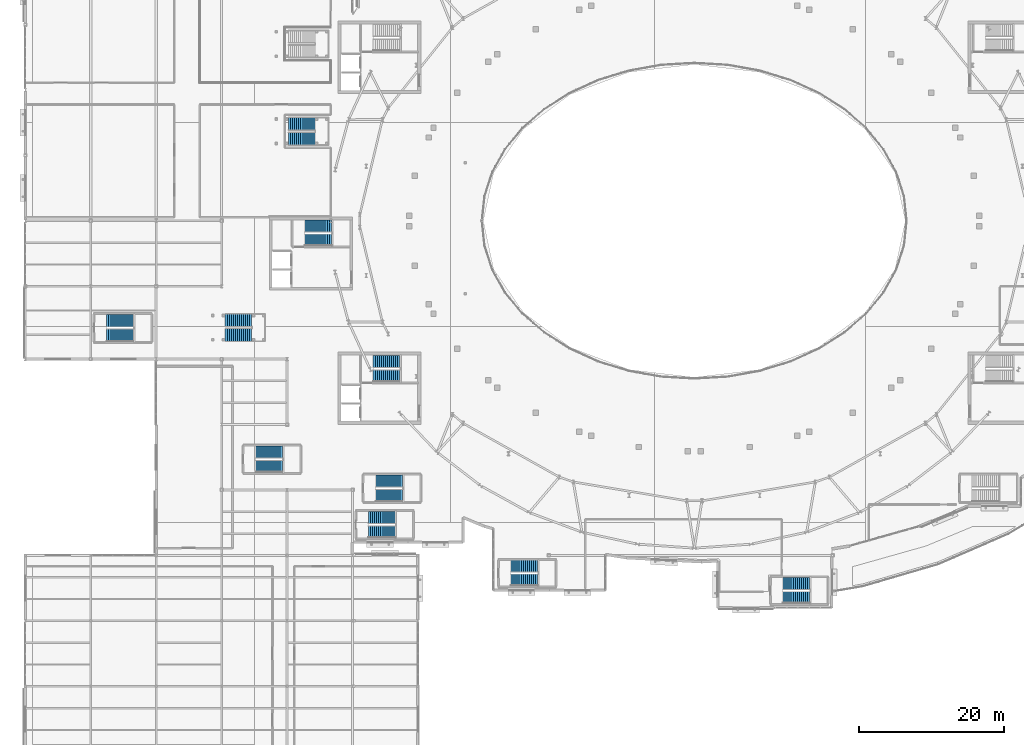
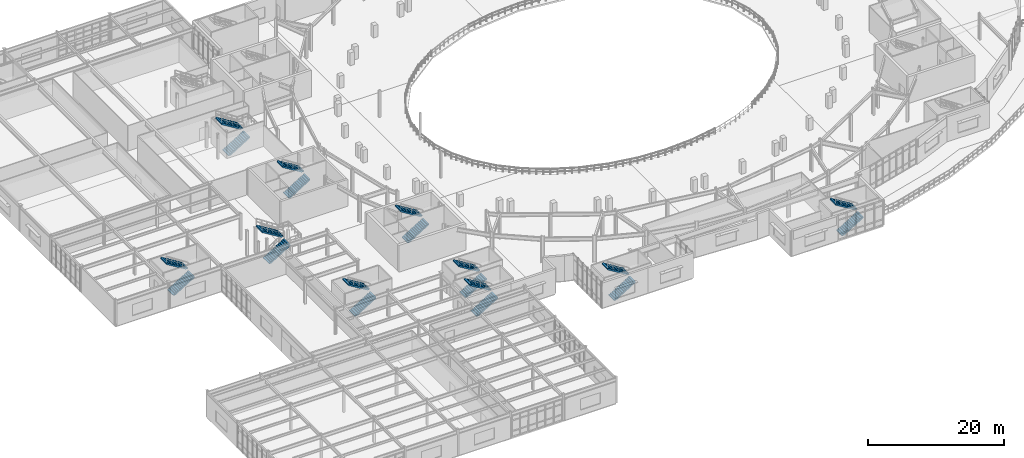
# One storey, part 65 of 84: 20 stair flights, 10 elements without a shape of their own.
"""IFC4 building model written with IfcOpenShell, lengths in metres."""

import ifcopenshell
import ifcopenshell.guid

model = None  # the IFC model being written
_history = None  # IfcOwnerHistory: only IFC2X3 demands one
_inside = {}  # id of a spatial element -> (the spatial element, [elements in it])
_under = {}  # id of a project, library or spatial element -> (it, [spatial elements below it])
_declared = {}  # id of a project -> (the project, [libraries it declares])
_typed = {}  # id of a type object -> (the type object, [elements of that type])
_made_of = {}  # id of a material, layer set ... -> (it, [elements and type objects made of it])


def new_model(schema):
    """Start an empty IFC model of exactly this schema.

    Asked for "IFC4X3", IfcOpenShell would pick the latest addendum, in which some entities
    have other attributes; the version numbers below select the first issue.
    IFC2X3 requires an IfcOwnerHistory on every rooted entity: one is made here for all.
    """
    global model, _history
    if schema == "IFC4X3":
        model = ifcopenshell.file(schema_version=(4, 3, 0, 0))
    else:
        model = ifcopenshell.file(schema=schema)
    _inside.clear()
    _under.clear()
    _declared.clear()
    _typed.clear()
    _made_of.clear()
    _history = None
    if model.schema == "IFC2X3":
        org = make("IfcOrganization", Name="unknown")
        user = make(
            "IfcPersonAndOrganization",
            ThePerson=make("IfcPerson", FamilyName="unknown"),
            TheOrganization=org,
        )
        app = make(
            "IfcApplication",
            ApplicationDeveloper=org,
            Version="unknown",
            ApplicationFullName="unknown",
            ApplicationIdentifier="unknown",
        )
        _history = make(
            "IfcOwnerHistory",
            OwningUser=user,
            OwningApplication=app,
            ChangeAction="ADDED",
            CreationDate=0,
        )
    return model


def make(cls, **values):
    """One entity of the class cls with the attributes given. An attribute that is None is left unset."""
    return model.create_entity(
        cls, **{name: value for name, value in values.items() if value is not None}
    )


def rooted(cls, **values):
    """An entity with a GlobalId (a new one), such as an element, a storey or a relation."""
    return make(cls, GlobalId=ifcopenshell.guid.new(), OwnerHistory=_history, **values)


def si_unit(unit_type, name, prefix=None):
    """IfcSIUnit, for example si_unit("LENGTHUNIT", "METRE", prefix="MILLI")."""
    return make("IfcSIUnit", UnitType=unit_type, Prefix=prefix, Name=name)


def assignment(units):
    """IfcUnitAssignment: the units of a project."""
    return None if units is None else make("IfcUnitAssignment", Units=units)


def point(xyz):
    """IfcCartesianPoint."""
    return None if xyz is None else make("IfcCartesianPoint", Coordinates=xyz)


def direction(xyz):
    """IfcDirection."""
    return None if xyz is None else make("IfcDirection", DirectionRatios=xyz)


def frame(location, z_axis=None, x_axis=None):
    """IfcAxis2Placement3D, a coordinate frame: its origin and axes. An axis left out is left unset."""
    return make(
        "IfcAxis2Placement3D",
        Location=point(location),
        Axis=direction(z_axis),
        RefDirection=direction(x_axis),
    )


def origin():
    """The frame at (0, 0, 0) with its axes left unset."""
    return frame((0.0, 0.0, 0.0))


def place(relative_to, where):
    """IfcLocalPlacement: puts the frame where relative to a parent placement (None: the world)."""
    return make(
        "IfcLocalPlacement", PlacementRelTo=relative_to, RelativePlacement=where
    )


def context(
    kind, dimensions, precision=None, world=None, true_north=None, identifier=None
):
    """IfcGeometricRepresentationContext, for example the 3D "Model" context."""
    return make(
        "IfcGeometricRepresentationContext",
        ContextIdentifier=identifier,
        ContextType=kind,
        CoordinateSpaceDimension=dimensions,
        Precision=precision,
        WorldCoordinateSystem=world,
        TrueNorth=true_north,
    )


def subcontext(parent, identifier, kind, view, scale=None):
    """IfcGeometricRepresentationSubContext, for example "Body" below "Model"."""
    return make(
        "IfcGeometricRepresentationSubContext",
        ContextIdentifier=identifier,
        ContextType=kind,
        ParentContext=parent,
        TargetScale=scale,
        TargetView=view,
    )


def project(units=None, contexts=None):
    """IfcProject with its units and contexts."""
    return rooted(
        "IfcProject",
        Name="project",
        RepresentationContexts=contexts,
        UnitsInContext=assignment(units),
    )


def spatial(cls, under=None, at=None, **own):
    """A site, building, storey or space (cls), placed at a placement, below another one or the project."""
    s = rooted(cls, ObjectPlacement=at, **own)
    if under is not None:
        _under.setdefault(under.id(), (under, []))[1].append(s)
    return s


def polyline(points):
    """IfcPolyline through the points."""
    return make("IfcPolyline", Points=[point(p) for p in points])


def outline(outer, holes=None, kind="AREA"):
    """IfcArbitraryClosedProfileDef: a profile drawn as a closed curve; with holes, ...WithVoids."""
    if holes is None:
        return make("IfcArbitraryClosedProfileDef", ProfileType=kind, OuterCurve=outer)
    return make(
        "IfcArbitraryProfileDefWithVoids",
        ProfileType=kind,
        OuterCurve=outer,
        InnerCurves=holes,
    )


def extrude(swept, where, along, depth):
    """IfcExtrudedAreaSolid: the profile swept, set in the frame where, extruded along a direction by depth."""
    return make(
        "IfcExtrudedAreaSolid",
        SweptArea=swept,
        Position=where,
        ExtrudedDirection=direction(along),
        Depth=depth,
    )


def shape(context_of_items, identifier, shape_type, items):
    """IfcShapeRepresentation: the items that make up one representation, for example the "Body"."""
    return make(
        "IfcShapeRepresentation",
        ContextOfItems=context_of_items,
        RepresentationIdentifier=identifier,
        RepresentationType=shape_type,
        Items=items,
    )


def material(Name=None, Category=None):
    """IfcMaterial."""
    return make("IfcMaterial", Name=Name, Category=Category)


def made_of(thing, what):
    """Note that an element or type object is made of a material, layer set ...; save() writes the relation."""
    if what is not None:
        _made_of.setdefault(what.id(), (what, []))[1].append(thing)
    return thing


def type_object(cls, material=None, **own):
    """A type object (cls), such as IfcWallType, which elements share."""
    return made_of(rooted(cls, **own), material)


def element(
    cls,
    number,
    at=None,
    inside=None,
    cuts=None,
    type_object=None,
    material=None,
    context=None,
    identifier="Body",
    shape_type=None,
    held_by="IfcProductDefinitionShape",
    body=None,
    shapes=None,
    **own,
):
    """One element of the class cls, such as IfcWall. Its Tag is "e" and its number.

    at: its placement. inside: the storey or other place that contains it. cuts: it is an
    opening in that element (IfcRelVoidsElement). A single representation is given by context,
    identifier, shape_type and body (its items); several are given by shapes. held_by: the class
    of the entity that holds the representations. save() writes the other relations.
    """
    e = rooted(cls, Tag="e%d" % number, ObjectPlacement=at, **own)
    if body is not None:
        shapes = [shape(context, identifier, shape_type, body)]
    if shapes is not None:
        e.Representation = make(held_by, Representations=shapes)
    if inside is not None:
        _inside.setdefault(inside.id(), (inside, []))[1].append(e)
    if cuts is not None:
        rooted(
            "IfcRelVoidsElement", RelatingBuildingElement=cuts, RelatedOpeningElement=e
        )
    if type_object is not None:
        _typed.setdefault(type_object.id(), (type_object, []))[1].append(e)
    return made_of(e, material)


def aggregate(whole, parts):
    """IfcRelAggregates: a whole, such as a stair, and the parts it consists of."""
    return rooted("IfcRelAggregates", RelatingObject=whole, RelatedObjects=parts)


def save(model, path):
    """Write the relations noted so far, then the file.

    IfcRelAggregates (storeys below a building ...), IfcRelContainedInSpatialStructure (elements
    in a storey), IfcRelDefinesByType, IfcRelAssociatesMaterial and IfcRelDeclares: one each for
    every whole, place, type object, material and project.
    """
    for whole, parts in _under.values():
        aggregate(whole, parts)
    for where, things in _inside.values():
        rooted(
            "IfcRelContainedInSpatialStructure",
            RelatedElements=things,
            RelatingStructure=where,
        )
    for kind, things in _typed.values():
        rooted("IfcRelDefinesByType", RelatedObjects=things, RelatingType=kind)
    for what, things in _made_of.values():
        rooted("IfcRelAssociatesMaterial", RelatedObjects=things, RelatingMaterial=what)
    for by, libraries in _declared.values():
        rooted("IfcRelDeclares", RelatingContext=by, RelatedDefinitions=libraries)
    model.write(path)


model = new_model("IFC4")

# Units and contexts
model_context = context("Model", 3, precision=1e-05, world=origin(), true_north=direction((0.0, 1.0)))
body_context = subcontext(model_context, "Body", "Model", "MODEL_VIEW")
ifc_project = project(units=[si_unit("LENGTHUNIT", "METRE"), si_unit("AREAUNIT", "SQUARE_METRE"), si_unit("VOLUMEUNIT", "CUBIC_METRE"), si_unit("PLANEANGLEUNIT", "RADIAN"), si_unit("MASSUNIT", "GRAM", prefix="KILO")], contexts=[model_context])

# Site, building, storey
site_placement = place(None, origin())
site = spatial("IfcSite", under=ifc_project, at=site_placement, CompositionType="ELEMENT")
building_placement = place(site_placement, origin())
building = spatial("IfcBuilding", under=site, at=building_placement, Name="Glasvene Arena", CompositionType="ELEMENT")
storey_placement = place(building_placement, frame((0.0, 0.0, 10.199951171875)))
storey = spatial("IfcBuildingStorey", under=building, at=storey_placement, Name="L02", CompositionType="ELEMENT", Elevation=10.199951171875)

# Stair, stair flights
ifc_material = material(Name="Concrete C40/50", Category="concrete")
stair_type_1 = type_object("IfcStairType", Name="ST-HT-480-165", PredefinedType="HALF_TURN_STAIR", material=ifc_material)
stair_1_placement = place(storey_placement, origin())
stair_1 = element("IfcStair", 1, at=stair_1_placement, inside=storey, type_object=stair_type_1, Name="Protected escape stair ST-07 (L02 to L03)", PredefinedType="HALF_TURN_STAIR")
stair_flight_type_1 = type_object("IfcStairFlightType", Name="SF-HT-480-165", PredefinedType="STRAIGHT", material=ifc_material)
stair_flight_1_placement = place(storey_placement, frame((38.449951171875, 70.375, 0.0), z_axis=(0.0, 0.0, 1.0), x_axis=(1.0, 0.0, 0.0)))
stair_flight_1 = element("IfcStairFlight", 2, at=stair_flight_1_placement, type_object=stair_flight_type_1, Name="Protected escape stair ST-07 (L02 to L03) flight 1", NumberOfRisers=14, NumberOfTreads=13, PredefinedType="STRAIGHT", RiserHeight=0.171429, TreadLength=0.28, context=body_context, shape_type="SweptSolid", body=[
    extrude(outline(polyline([(0.0, 0.0), (0.0, 0.17138671875), (0.280029296875, 0.17138671875), (0.280029296875, 0.3427734375), (0.56005859375, 0.3427734375), (0.56005859375, 0.514404296875), (0.840087890625, 0.514404296875), (0.840087890625, 0.685791015625), (1.1201171875, 0.685791015625), (1.1201171875, 0.857177734375), (1.39990234375, 0.857177734375), (1.39990234375, 1.028564453125), (1.679931640625, 1.028564453125), (1.679931640625, 1.199951171875), (1.9599609375, 1.199951171875), (1.9599609375, 1.371337890625), (2.239990234375, 1.371337890625), (2.239990234375, 1.54296875), (2.52001953125, 1.54296875), (2.52001953125, 1.71435546875), (2.800048828125, 1.71435546875), (2.800048828125, 1.8857421875), (3.080078125, 1.8857421875), (3.080078125, 2.05712890625), (3.360107421875, 2.05712890625), (3.360107421875, 2.228515625), (3.639892578125, 2.228515625), (3.639892578125, 2.39990234375), (3.639892578125, 1.994140625), (0.383056640625, 0.0), (0.0, 0.0)])), frame((0.0, 0.824951171875, 0.0), z_axis=(0.0, -1.0, 0.0), x_axis=(1.0, 0.0, 0.0)), (0.0, 0.0, 1.0), 1.64990234375),
])
stair_flight_2_placement = place(storey_placement, frame((42.090087890625, 72.27490234375, 2.400146484375), z_axis=(0.0, 0.0, 1.0), x_axis=(-1.0, 0.0, 0.0)))
stair_flight_2 = element("IfcStairFlight", 3, at=stair_flight_2_placement, type_object=stair_flight_type_1, Name="Protected escape stair ST-07 (L02 to L03) flight 2", NumberOfRisers=14, NumberOfTreads=13, PredefinedType="STRAIGHT", RiserHeight=0.171429, TreadLength=0.28, context=body_context, shape_type="SweptSolid", body=[
    extrude(outline(polyline([(0.0, 0.0), (0.0, 0.17138671875), (0.280029296875, 0.17138671875), (0.280029296875, 0.3427734375), (0.56005859375, 0.3427734375), (0.56005859375, 0.514404296875), (0.840087890625, 0.514404296875), (0.840087890625, 0.685791015625), (1.1201171875, 0.685791015625), (1.1201171875, 0.857177734375), (1.39990234375, 0.857177734375), (1.39990234375, 1.028564453125), (1.679931640625, 1.028564453125), (1.679931640625, 1.199951171875), (1.9599609375, 1.199951171875), (1.9599609375, 1.371337890625), (2.239990234375, 1.371337890625), (2.239990234375, 1.54296875), (2.52001953125, 1.54296875), (2.52001953125, 1.71435546875), (2.800048828125, 1.71435546875), (2.800048828125, 1.8857421875), (3.080078125, 1.8857421875), (3.080078125, 2.05712890625), (3.360107421875, 2.05712890625), (3.360107421875, 2.228515625), (3.639892578125, 2.228515625), (3.639892578125, 2.39990234375), (3.639892578125, 1.994140625), (0.383056640625, 0.0), (0.0, 0.0)])), frame((0.0, 0.824951171875, 0.0), z_axis=(0.0, -1.0, 0.0), x_axis=(1.0, 0.0, 0.0)), (0.0, 0.0, 1.0), 1.64990234375),
])
aggregate(stair_1, [stair_flight_1, stair_flight_2])

stair_2_placement = place(storey_placement, origin())
stair_2 = element("IfcStair", 4, at=stair_2_placement, inside=storey, type_object=stair_type_1, Name="Protected escape stair ST-08 (L02 to L03)", PredefinedType="HALF_TURN_STAIR")
stair_flight_3_placement = place(storey_placement, frame((66.800048828125, 23.625, 0.0), z_axis=(0.0, 0.0, 1.0), x_axis=(1.0, 0.0, 0.0)))
stair_flight_3 = element("IfcStairFlight", 5, at=stair_flight_3_placement, type_object=stair_flight_type_1, Name="Protected escape stair ST-08 (L02 to L03) flight 1", NumberOfRisers=14, NumberOfTreads=13, PredefinedType="STRAIGHT", RiserHeight=0.171429, TreadLength=0.28, context=body_context, shape_type="SweptSolid", body=[
    extrude(outline(polyline([(0.0, 0.0), (0.0, 0.17138671875), (0.280029296875, 0.17138671875), (0.280029296875, 0.3427734375), (0.56005859375, 0.3427734375), (0.56005859375, 0.514404296875), (0.840087890625, 0.514404296875), (0.840087890625, 0.685791015625), (1.1201171875, 0.685791015625), (1.1201171875, 0.857177734375), (1.39990234375, 0.857177734375), (1.39990234375, 1.028564453125), (1.679931640625, 1.028564453125), (1.679931640625, 1.199951171875), (1.9599609375, 1.199951171875), (1.9599609375, 1.371337890625), (2.239990234375, 1.371337890625), (2.239990234375, 1.54296875), (2.52001953125, 1.54296875), (2.52001953125, 1.71435546875), (2.800048828125, 1.71435546875), (2.800048828125, 1.8857421875), (3.080078125, 1.8857421875), (3.080078125, 2.05712890625), (3.360107421875, 2.05712890625), (3.360107421875, 2.228515625), (3.639892578125, 2.228515625), (3.639892578125, 2.39990234375), (3.639892578125, 1.994140625), (0.383056640625, 0.0), (0.0, 0.0)])), frame((0.0, 0.824951171875, 0.0), z_axis=(0.0, -1.0, 0.0), x_axis=(1.0, 0.0, 0.0)), (0.0, 0.0, 1.0), 1.64990234375),
])
stair_flight_4_placement = place(storey_placement, frame((70.43994140625, 25.52490234375, 2.400146484375), z_axis=(0.0, 0.0, 1.0), x_axis=(-1.0, 0.0, 0.0)))
stair_flight_4 = element("IfcStairFlight", 6, at=stair_flight_4_placement, type_object=stair_flight_type_1, Name="Protected escape stair ST-08 (L02 to L03) flight 2", NumberOfRisers=14, NumberOfTreads=13, PredefinedType="STRAIGHT", RiserHeight=0.171429, TreadLength=0.28, context=body_context, shape_type="SweptSolid", body=[
    extrude(outline(polyline([(0.0, 0.0), (0.0, 0.17138671875), (0.280029296875, 0.17138671875), (0.280029296875, 0.3427734375), (0.56005859375, 0.3427734375), (0.56005859375, 0.514404296875), (0.840087890625, 0.514404296875), (0.840087890625, 0.685791015625), (1.1201171875, 0.685791015625), (1.1201171875, 0.857177734375), (1.39990234375, 0.857177734375), (1.39990234375, 1.028564453125), (1.679931640625, 1.028564453125), (1.679931640625, 1.199951171875), (1.9599609375, 1.199951171875), (1.9599609375, 1.371337890625), (2.239990234375, 1.371337890625), (2.239990234375, 1.54296875), (2.52001953125, 1.54296875), (2.52001953125, 1.71435546875), (2.800048828125, 1.71435546875), (2.800048828125, 1.8857421875), (3.080078125, 1.8857421875), (3.080078125, 2.05712890625), (3.360107421875, 2.05712890625), (3.360107421875, 2.228515625), (3.639892578125, 2.228515625), (3.639892578125, 2.39990234375), (3.639892578125, 1.994140625), (0.383056640625, 0.0), (0.0, 0.0)])), frame((0.0, 0.824951171875, 0.0), z_axis=(0.0, -1.0, 0.0), x_axis=(1.0, 0.0, 0.0)), (0.0, 0.0, 1.0), 1.64990234375),
])
aggregate(stair_2, [stair_flight_3, stair_flight_4])

stair_3_placement = place(storey_placement, origin())
stair_3 = element("IfcStair", 7, at=stair_3_placement, inside=storey, type_object=stair_type_1, Name="Protected escape stair ST-09 (L02 to L03)", PredefinedType="HALF_TURN_STAIR")
stair_flight_5_placement = place(storey_placement, frame((104.199951171875, 21.22509765625, 0.0), z_axis=(0.0, 0.0, 1.0), x_axis=(1.0, 0.0, 0.0)))
stair_flight_5 = element("IfcStairFlight", 8, at=stair_flight_5_placement, type_object=stair_flight_type_1, Name="Protected escape stair ST-09 (L02 to L03) flight 1", NumberOfRisers=14, NumberOfTreads=13, PredefinedType="STRAIGHT", RiserHeight=0.171429, TreadLength=0.28, context=body_context, shape_type="SweptSolid", body=[
    extrude(outline(polyline([(0.0, 0.0), (0.0, 0.17138671875), (0.280029296875, 0.17138671875), (0.280029296875, 0.3427734375), (0.56005859375, 0.3427734375), (0.56005859375, 0.514404296875), (0.840087890625, 0.514404296875), (0.840087890625, 0.685791015625), (1.1201171875, 0.685791015625), (1.1201171875, 0.857177734375), (1.39990234375, 0.857177734375), (1.39990234375, 1.028564453125), (1.679931640625, 1.028564453125), (1.679931640625, 1.199951171875), (1.9599609375, 1.199951171875), (1.9599609375, 1.371337890625), (2.239990234375, 1.371337890625), (2.239990234375, 1.54296875), (2.52001953125, 1.54296875), (2.52001953125, 1.71435546875), (2.800048828125, 1.71435546875), (2.800048828125, 1.8857421875), (3.080078125, 1.8857421875), (3.080078125, 2.05712890625), (3.360107421875, 2.05712890625), (3.360107421875, 2.228515625), (3.639892578125, 2.228515625), (3.639892578125, 2.39990234375), (3.639892578125, 1.994140625), (0.383056640625, 0.0), (0.0, 0.0)])), frame((0.0, 0.824951171875, 0.0), z_axis=(0.0, -1.0, 0.0), x_axis=(1.0, 0.0, 0.0)), (0.0, 0.0, 1.0), 1.64990234375),
])
stair_flight_6_placement = place(storey_placement, frame((107.840087890625, 23.125, 2.400146484375), z_axis=(0.0, 0.0, 1.0), x_axis=(-1.0, 0.0, 0.0)))
stair_flight_6 = element("IfcStairFlight", 9, at=stair_flight_6_placement, type_object=stair_flight_type_1, Name="Protected escape stair ST-09 (L02 to L03) flight 2", NumberOfRisers=14, NumberOfTreads=13, PredefinedType="STRAIGHT", RiserHeight=0.171429, TreadLength=0.28, context=body_context, shape_type="SweptSolid", body=[
    extrude(outline(polyline([(0.0, 0.0), (0.0, 0.17138671875), (0.280029296875, 0.17138671875), (0.280029296875, 0.3427734375), (0.56005859375, 0.3427734375), (0.56005859375, 0.514404296875), (0.840087890625, 0.514404296875), (0.840087890625, 0.685791015625), (1.1201171875, 0.685791015625), (1.1201171875, 0.857177734375), (1.39990234375, 0.857177734375), (1.39990234375, 1.028564453125), (1.679931640625, 1.028564453125), (1.679931640625, 1.199951171875), (1.9599609375, 1.199951171875), (1.9599609375, 1.371337890625), (2.239990234375, 1.371337890625), (2.239990234375, 1.54296875), (2.52001953125, 1.54296875), (2.52001953125, 1.71435546875), (2.800048828125, 1.71435546875), (2.800048828125, 1.8857421875), (3.080078125, 1.8857421875), (3.080078125, 2.05712890625), (3.360107421875, 2.05712890625), (3.360107421875, 2.228515625), (3.639892578125, 2.228515625), (3.639892578125, 2.39990234375), (3.639892578125, 1.994140625), (0.383056640625, 0.0), (0.0, 0.0)])), frame((0.0, 0.824951171875, 0.0), z_axis=(0.0, -1.0, 0.0), x_axis=(1.0, 0.0, 0.0)), (0.0, 0.0, 1.0), 1.64990234375),
])
aggregate(stair_3, [stair_flight_5, stair_flight_6])

stair_type_2 = type_object("IfcStairType", Name="ST-HT-480-170", PredefinedType="HALF_TURN_STAIR", material=ifc_material)
stair_4_placement = place(storey_placement, origin())
stair_4 = element("IfcStair", 10, at=stair_4_placement, inside=storey, type_object=stair_type_2, Name="Protected escape stair ST-03 (L02 to L03)", PredefinedType="HALF_TURN_STAIR")
stair_flight_type_2 = type_object("IfcStairFlightType", Name="SF-HT-480-170", PredefinedType="STRAIGHT", material=ifc_material)
stair_flight_7_placement = place(storey_placement, frame((47.85009765625, 51.699951171875, 0.0), z_axis=(0.0, 0.0, 1.0), x_axis=(1.0, 0.0, 0.0)))
stair_flight_7 = element("IfcStairFlight", 11, at=stair_flight_7_placement, type_object=stair_flight_type_2, Name="Protected escape stair ST-03 (L02 to L03) flight 1", NumberOfRisers=14, NumberOfTreads=13, PredefinedType="STRAIGHT", RiserHeight=0.171429, TreadLength=0.28, context=body_context, shape_type="SweptSolid", body=[
    extrude(outline(polyline([(0.0, 0.0), (0.0, 0.17138671875), (0.280029296875, 0.17138671875), (0.280029296875, 0.3427734375), (0.56005859375, 0.3427734375), (0.56005859375, 0.514404296875), (0.840087890625, 0.514404296875), (0.840087890625, 0.685791015625), (1.1201171875, 0.685791015625), (1.1201171875, 0.857177734375), (1.39990234375, 0.857177734375), (1.39990234375, 1.028564453125), (1.679931640625, 1.028564453125), (1.679931640625, 1.199951171875), (1.9599609375, 1.199951171875), (1.9599609375, 1.371337890625), (2.239990234375, 1.371337890625), (2.239990234375, 1.54296875), (2.52001953125, 1.54296875), (2.52001953125, 1.71435546875), (2.800048828125, 1.71435546875), (2.800048828125, 1.8857421875), (3.080078125, 1.8857421875), (3.080078125, 2.05712890625), (3.360107421875, 2.05712890625), (3.360107421875, 2.228515625), (3.639892578125, 2.228515625), (3.639892578125, 2.39990234375), (3.639892578125, 1.994140625), (0.383056640625, 0.0), (0.0, 0.0)])), frame((0.0, 0.85009765625, 0.0), z_axis=(0.0, -1.0, 0.0), x_axis=(1.0, 0.0, 0.0)), (0.0, 0.0, 1.0), 1.699951171875),
])
stair_flight_8_placement = place(storey_placement, frame((51.489990234375, 53.64990234375, 2.400146484375), z_axis=(0.0, 0.0, 1.0), x_axis=(-1.0, 0.0, 0.0)))
stair_flight_8 = element("IfcStairFlight", 12, at=stair_flight_8_placement, type_object=stair_flight_type_2, Name="Protected escape stair ST-03 (L02 to L03) flight 2", NumberOfRisers=14, NumberOfTreads=13, PredefinedType="STRAIGHT", RiserHeight=0.171429, TreadLength=0.28, context=body_context, shape_type="SweptSolid", body=[
    extrude(outline(polyline([(0.0, 0.0), (0.0, 0.17138671875), (0.280029296875, 0.17138671875), (0.280029296875, 0.3427734375), (0.56005859375, 0.3427734375), (0.56005859375, 0.514404296875), (0.840087890625, 0.514404296875), (0.840087890625, 0.685791015625), (1.1201171875, 0.685791015625), (1.1201171875, 0.857177734375), (1.39990234375, 0.857177734375), (1.39990234375, 1.028564453125), (1.679931640625, 1.028564453125), (1.679931640625, 1.199951171875), (1.9599609375, 1.199951171875), (1.9599609375, 1.371337890625), (2.239990234375, 1.371337890625), (2.239990234375, 1.54296875), (2.52001953125, 1.54296875), (2.52001953125, 1.71435546875), (2.800048828125, 1.71435546875), (2.800048828125, 1.8857421875), (3.080078125, 1.8857421875), (3.080078125, 2.05712890625), (3.360107421875, 2.05712890625), (3.360107421875, 2.228515625), (3.639892578125, 2.228515625), (3.639892578125, 2.39990234375), (3.639892578125, 1.994140625), (0.383056640625, 0.0), (0.0, 0.0)])), frame((0.0, 0.85009765625, 0.0), z_axis=(0.0, -1.0, 0.0), x_axis=(1.0, 0.0, 0.0)), (0.0, 0.0, 1.0), 1.699951171875),
])
aggregate(stair_4, [stair_flight_7, stair_flight_8])

stair_5_placement = place(storey_placement, origin())
stair_5 = element("IfcStair", 13, at=stair_5_placement, inside=storey, type_object=stair_type_2, Name="Protected escape stair ST-05 (L02 to L03)", PredefinedType="HALF_TURN_STAIR")
stair_flight_9_placement = place(storey_placement, frame((48.199951171875, 35.25, 0.0), z_axis=(0.0, 0.0, 1.0), x_axis=(1.0, 0.0, 0.0)))
stair_flight_9 = element("IfcStairFlight", 14, at=stair_flight_9_placement, type_object=stair_flight_type_2, Name="Protected escape stair ST-05 (L02 to L03) flight 1", NumberOfRisers=14, NumberOfTreads=13, PredefinedType="STRAIGHT", RiserHeight=0.171429, TreadLength=0.28, context=body_context, shape_type="SweptSolid", body=[
    extrude(outline(polyline([(0.0, 0.0), (0.0, 0.17138671875), (0.280029296875, 0.17138671875), (0.280029296875, 0.3427734375), (0.56005859375, 0.3427734375), (0.56005859375, 0.514404296875), (0.840087890625, 0.514404296875), (0.840087890625, 0.685791015625), (1.1201171875, 0.685791015625), (1.1201171875, 0.857177734375), (1.39990234375, 0.857177734375), (1.39990234375, 1.028564453125), (1.679931640625, 1.028564453125), (1.679931640625, 1.199951171875), (1.9599609375, 1.199951171875), (1.9599609375, 1.371337890625), (2.239990234375, 1.371337890625), (2.239990234375, 1.54296875), (2.52001953125, 1.54296875), (2.52001953125, 1.71435546875), (2.800048828125, 1.71435546875), (2.800048828125, 1.8857421875), (3.080078125, 1.8857421875), (3.080078125, 2.05712890625), (3.360107421875, 2.05712890625), (3.360107421875, 2.228515625), (3.639892578125, 2.228515625), (3.639892578125, 2.39990234375), (3.639892578125, 1.994140625), (0.383056640625, 0.0), (0.0, 0.0)])), frame((0.0, 0.85009765625, 0.0), z_axis=(0.0, -1.0, 0.0), x_axis=(1.0, 0.0, 0.0)), (0.0, 0.0, 1.0), 1.699951171875),
])
stair_flight_10_placement = place(storey_placement, frame((51.840087890625, 37.199951171875, 2.400146484375), z_axis=(0.0, 0.0, 1.0), x_axis=(-1.0, 0.0, 0.0)))
stair_flight_10 = element("IfcStairFlight", 15, at=stair_flight_10_placement, type_object=stair_flight_type_2, Name="Protected escape stair ST-05 (L02 to L03) flight 2", NumberOfRisers=14, NumberOfTreads=13, PredefinedType="STRAIGHT", RiserHeight=0.171429, TreadLength=0.28, context=body_context, shape_type="SweptSolid", body=[
    extrude(outline(polyline([(0.0, 0.0), (0.0, 0.17138671875), (0.280029296875, 0.17138671875), (0.280029296875, 0.3427734375), (0.56005859375, 0.3427734375), (0.56005859375, 0.514404296875), (0.840087890625, 0.514404296875), (0.840087890625, 0.685791015625), (1.1201171875, 0.685791015625), (1.1201171875, 0.857177734375), (1.39990234375, 0.857177734375), (1.39990234375, 1.028564453125), (1.679931640625, 1.028564453125), (1.679931640625, 1.199951171875), (1.9599609375, 1.199951171875), (1.9599609375, 1.371337890625), (2.239990234375, 1.371337890625), (2.239990234375, 1.54296875), (2.52001953125, 1.54296875), (2.52001953125, 1.71435546875), (2.800048828125, 1.71435546875), (2.800048828125, 1.8857421875), (3.080078125, 1.8857421875), (3.080078125, 2.05712890625), (3.360107421875, 2.05712890625), (3.360107421875, 2.228515625), (3.639892578125, 2.228515625), (3.639892578125, 2.39990234375), (3.639892578125, 1.994140625), (0.383056640625, 0.0), (0.0, 0.0)])), frame((0.0, 0.85009765625, 0.0), z_axis=(0.0, -1.0, 0.0), x_axis=(1.0, 0.0, 0.0)), (0.0, 0.0, 1.0), 1.699951171875),
])
aggregate(stair_5, [stair_flight_9, stair_flight_10])

stair_6_placement = place(storey_placement, origin())
stair_6 = element("IfcStair", 16, at=stair_6_placement, inside=storey, type_object=stair_type_2, Name="Protected escape stair ST-15 (L02 to L03)", PredefinedType="HALF_TURN_STAIR")
stair_flight_11_placement = place(storey_placement, frame((31.699951171875, 39.25, 0.0), z_axis=(0.0, 0.0, 1.0), x_axis=(1.0, 0.0, 0.0)))
stair_flight_11 = element("IfcStairFlight", 17, at=stair_flight_11_placement, type_object=stair_flight_type_2, Name="Protected escape stair ST-15 (L02 to L03) flight 1", NumberOfRisers=14, NumberOfTreads=13, PredefinedType="STRAIGHT", RiserHeight=0.171429, TreadLength=0.28, context=body_context, shape_type="SweptSolid", body=[
    extrude(outline(polyline([(0.0, 0.0), (0.0, 0.17138671875), (0.280029296875, 0.17138671875), (0.280029296875, 0.3427734375), (0.56005859375, 0.3427734375), (0.56005859375, 0.514404296875), (0.840087890625, 0.514404296875), (0.840087890625, 0.685791015625), (1.1201171875, 0.685791015625), (1.1201171875, 0.857177734375), (1.39990234375, 0.857177734375), (1.39990234375, 1.028564453125), (1.679931640625, 1.028564453125), (1.679931640625, 1.199951171875), (1.9599609375, 1.199951171875), (1.9599609375, 1.371337890625), (2.239990234375, 1.371337890625), (2.239990234375, 1.54296875), (2.52001953125, 1.54296875), (2.52001953125, 1.71435546875), (2.800048828125, 1.71435546875), (2.800048828125, 1.8857421875), (3.080078125, 1.8857421875), (3.080078125, 2.05712890625), (3.360107421875, 2.05712890625), (3.360107421875, 2.228515625), (3.639892578125, 2.228515625), (3.639892578125, 2.39990234375), (3.639892578125, 1.994140625), (0.383056640625, 0.0), (0.0, 0.0)])), frame((0.0, 0.85009765625, 0.0), z_axis=(0.0, -1.0, 0.0), x_axis=(1.0, 0.0, 0.0)), (0.0, 0.0, 1.0), 1.699951171875),
])
stair_flight_12_placement = place(storey_placement, frame((35.340087890625, 41.199951171875, 2.400146484375), z_axis=(0.0, 0.0, 1.0), x_axis=(-1.0, 0.0, 0.0)))
stair_flight_12 = element("IfcStairFlight", 18, at=stair_flight_12_placement, type_object=stair_flight_type_2, Name="Protected escape stair ST-15 (L02 to L03) flight 2", NumberOfRisers=14, NumberOfTreads=13, PredefinedType="STRAIGHT", RiserHeight=0.171429, TreadLength=0.28, context=body_context, shape_type="SweptSolid", body=[
    extrude(outline(polyline([(0.0, 0.0), (0.0, 0.17138671875), (0.280029296875, 0.17138671875), (0.280029296875, 0.3427734375), (0.56005859375, 0.3427734375), (0.56005859375, 0.514404296875), (0.840087890625, 0.514404296875), (0.840087890625, 0.685791015625), (1.1201171875, 0.685791015625), (1.1201171875, 0.857177734375), (1.39990234375, 0.857177734375), (1.39990234375, 1.028564453125), (1.679931640625, 1.028564453125), (1.679931640625, 1.199951171875), (1.9599609375, 1.199951171875), (1.9599609375, 1.371337890625), (2.239990234375, 1.371337890625), (2.239990234375, 1.54296875), (2.52001953125, 1.54296875), (2.52001953125, 1.71435546875), (2.800048828125, 1.71435546875), (2.800048828125, 1.8857421875), (3.080078125, 1.8857421875), (3.080078125, 2.05712890625), (3.360107421875, 2.05712890625), (3.360107421875, 2.228515625), (3.639892578125, 2.228515625), (3.639892578125, 2.39990234375), (3.639892578125, 1.994140625), (0.383056640625, 0.0), (0.0, 0.0)])), frame((0.0, 0.85009765625, 0.0), z_axis=(0.0, -1.0, 0.0), x_axis=(1.0, 0.0, 0.0)), (0.0, 0.0, 1.0), 1.699951171875),
])
aggregate(stair_6, [stair_flight_11, stair_flight_12])

stair_7_placement = place(storey_placement, origin())
stair_7 = element("IfcStair", 19, at=stair_7_placement, inside=storey, type_object=stair_type_2, Name="Protected escape stair ST-16 (L02 to L03)", PredefinedType="HALF_TURN_STAIR")
stair_flight_13_placement = place(storey_placement, frame((47.199951171875, 30.25, 0.0), z_axis=(0.0, 0.0, 1.0), x_axis=(1.0, 0.0, 0.0)))
stair_flight_13 = element("IfcStairFlight", 20, at=stair_flight_13_placement, type_object=stair_flight_type_2, Name="Protected escape stair ST-16 (L02 to L03) flight 1", NumberOfRisers=14, NumberOfTreads=13, PredefinedType="STRAIGHT", RiserHeight=0.171429, TreadLength=0.28, context=body_context, shape_type="SweptSolid", body=[
    extrude(outline(polyline([(0.0, 0.0), (0.0, 0.17138671875), (0.280029296875, 0.17138671875), (0.280029296875, 0.3427734375), (0.56005859375, 0.3427734375), (0.56005859375, 0.514404296875), (0.840087890625, 0.514404296875), (0.840087890625, 0.685791015625), (1.1201171875, 0.685791015625), (1.1201171875, 0.857177734375), (1.39990234375, 0.857177734375), (1.39990234375, 1.028564453125), (1.679931640625, 1.028564453125), (1.679931640625, 1.199951171875), (1.9599609375, 1.199951171875), (1.9599609375, 1.371337890625), (2.239990234375, 1.371337890625), (2.239990234375, 1.54296875), (2.52001953125, 1.54296875), (2.52001953125, 1.71435546875), (2.800048828125, 1.71435546875), (2.800048828125, 1.8857421875), (3.080078125, 1.8857421875), (3.080078125, 2.05712890625), (3.360107421875, 2.05712890625), (3.360107421875, 2.228515625), (3.639892578125, 2.228515625), (3.639892578125, 2.39990234375), (3.639892578125, 1.994140625), (0.383056640625, 0.0), (0.0, 0.0)])), frame((0.0, 0.85009765625, 0.0), z_axis=(0.0, -1.0, 0.0), x_axis=(1.0, 0.0, 0.0)), (0.0, 0.0, 1.0), 1.699951171875),
])
stair_flight_14_placement = place(storey_placement, frame((50.840087890625, 32.199951171875, 2.400146484375), z_axis=(0.0, 0.0, 1.0), x_axis=(-1.0, 0.0, 0.0)))
stair_flight_14 = element("IfcStairFlight", 21, at=stair_flight_14_placement, type_object=stair_flight_type_2, Name="Protected escape stair ST-16 (L02 to L03) flight 2", NumberOfRisers=14, NumberOfTreads=13, PredefinedType="STRAIGHT", RiserHeight=0.171429, TreadLength=0.28, context=body_context, shape_type="SweptSolid", body=[
    extrude(outline(polyline([(0.0, 0.0), (0.0, 0.17138671875), (0.280029296875, 0.17138671875), (0.280029296875, 0.3427734375), (0.56005859375, 0.3427734375), (0.56005859375, 0.514404296875), (0.840087890625, 0.514404296875), (0.840087890625, 0.685791015625), (1.1201171875, 0.685791015625), (1.1201171875, 0.857177734375), (1.39990234375, 0.857177734375), (1.39990234375, 1.028564453125), (1.679931640625, 1.028564453125), (1.679931640625, 1.199951171875), (1.9599609375, 1.199951171875), (1.9599609375, 1.371337890625), (2.239990234375, 1.371337890625), (2.239990234375, 1.54296875), (2.52001953125, 1.54296875), (2.52001953125, 1.71435546875), (2.800048828125, 1.71435546875), (2.800048828125, 1.8857421875), (3.080078125, 1.8857421875), (3.080078125, 2.05712890625), (3.360107421875, 2.05712890625), (3.360107421875, 2.228515625), (3.639892578125, 2.228515625), (3.639892578125, 2.39990234375), (3.639892578125, 1.994140625), (0.383056640625, 0.0), (0.0, 0.0)])), frame((0.0, 0.85009765625, 0.0), z_axis=(0.0, -1.0, 0.0), x_axis=(1.0, 0.0, 0.0)), (0.0, 0.0, 1.0), 1.699951171875),
])
aggregate(stair_7, [stair_flight_13, stair_flight_14])

stair_type_3 = type_object("IfcStairType", Name="ST-HT-480-175", PredefinedType="HALF_TURN_STAIR", material=ifc_material)
stair_8_placement = place(storey_placement, origin())
stair_8 = element("IfcStair", 22, at=stair_8_placement, inside=storey, type_object=stair_type_3, Name="Protected escape stair ST-13 (L02 to L03)", PredefinedType="HALF_TURN_STAIR")
stair_flight_type_3 = type_object("IfcStairFlightType", Name="SF-HT-480-175", PredefinedType="STRAIGHT", material=ifc_material)
stair_flight_15_placement = place(storey_placement, frame((11.199951171875, 57.27490234375, 0.0), z_axis=(0.0, 0.0, 1.0), x_axis=(1.0, 0.0, 0.0)))
stair_flight_15 = element("IfcStairFlight", 23, at=stair_flight_15_placement, type_object=stair_flight_type_3, Name="Protected escape stair ST-13 (L02 to L03) flight 1", NumberOfRisers=14, NumberOfTreads=13, PredefinedType="STRAIGHT", RiserHeight=0.171429, TreadLength=0.28, context=body_context, shape_type="SweptSolid", body=[
    extrude(outline(polyline([(0.0, 0.0), (0.0, 0.17138671875), (0.280029296875, 0.17138671875), (0.280029296875, 0.3427734375), (0.56005859375, 0.3427734375), (0.56005859375, 0.514404296875), (0.840087890625, 0.514404296875), (0.840087890625, 0.685791015625), (1.1201171875, 0.685791015625), (1.1201171875, 0.857177734375), (1.39990234375, 0.857177734375), (1.39990234375, 1.028564453125), (1.679931640625, 1.028564453125), (1.679931640625, 1.199951171875), (1.9599609375, 1.199951171875), (1.9599609375, 1.371337890625), (2.239990234375, 1.371337890625), (2.239990234375, 1.54296875), (2.52001953125, 1.54296875), (2.52001953125, 1.71435546875), (2.800048828125, 1.71435546875), (2.800048828125, 1.8857421875), (3.080078125, 1.8857421875), (3.080078125, 2.05712890625), (3.360107421875, 2.05712890625), (3.360107421875, 2.228515625), (3.639892578125, 2.228515625), (3.639892578125, 2.39990234375), (3.639892578125, 1.994140625), (0.383056640625, 0.0), (0.0, 0.0)])), frame((0.0, 0.875, 0.0), z_axis=(0.0, -1.0, 0.0), x_axis=(1.0, 0.0, 0.0)), (0.0, 0.0, 1.0), 1.75),
])
stair_flight_16_placement = place(storey_placement, frame((14.840087890625, 59.27490234375, 2.400146484375), z_axis=(0.0, 0.0, 1.0), x_axis=(-1.0, 0.0, 0.0)))
stair_flight_16 = element("IfcStairFlight", 24, at=stair_flight_16_placement, type_object=stair_flight_type_3, Name="Protected escape stair ST-13 (L02 to L03) flight 2", NumberOfRisers=14, NumberOfTreads=13, PredefinedType="STRAIGHT", RiserHeight=0.171429, TreadLength=0.28, context=body_context, shape_type="SweptSolid", body=[
    extrude(outline(polyline([(0.0, 0.0), (0.0, 0.17138671875), (0.280029296875, 0.17138671875), (0.280029296875, 0.3427734375), (0.56005859375, 0.3427734375), (0.56005859375, 0.514404296875), (0.840087890625, 0.514404296875), (0.840087890625, 0.685791015625), (1.1201171875, 0.685791015625), (1.1201171875, 0.857177734375), (1.39990234375, 0.857177734375), (1.39990234375, 1.028564453125), (1.679931640625, 1.028564453125), (1.679931640625, 1.199951171875), (1.9599609375, 1.199951171875), (1.9599609375, 1.371337890625), (2.239990234375, 1.371337890625), (2.239990234375, 1.54296875), (2.52001953125, 1.54296875), (2.52001953125, 1.71435546875), (2.800048828125, 1.71435546875), (2.800048828125, 1.8857421875), (3.080078125, 1.8857421875), (3.080078125, 2.05712890625), (3.360107421875, 2.05712890625), (3.360107421875, 2.228515625), (3.639892578125, 2.228515625), (3.639892578125, 2.39990234375), (3.639892578125, 1.994140625), (0.383056640625, 0.0), (0.0, 0.0)])), frame((0.0, 0.875, 0.0), z_axis=(0.0, -1.0, 0.0), x_axis=(1.0, 0.0, 0.0)), (0.0, 0.0, 1.0), 1.75),
])
aggregate(stair_8, [stair_flight_15, stair_flight_16])

stair_type_4 = type_object("IfcStairType", Name="ST-HT-480-180", PredefinedType="HALF_TURN_STAIR", material=ifc_material)
stair_9_placement = place(storey_placement, origin())
stair_9 = element("IfcStair", 25, at=stair_9_placement, inside=storey, type_object=stair_type_4, Name="Vomitory Stair VOM-05 (L02 to L03)", PredefinedType="HALF_TURN_STAIR")
stair_flight_type_4 = type_object("IfcStairFlightType", Name="SF-HT-480-180", PredefinedType="STRAIGHT", material=ifc_material)
stair_flight_17_placement = place(storey_placement, frame((27.5, 57.300048828125, 0.0), z_axis=(0.0, 0.0, 1.0), x_axis=(1.0, 0.0, 0.0)))
stair_flight_17 = element("IfcStairFlight", 26, at=stair_flight_17_placement, type_object=stair_flight_type_4, Name="Vomitory Stair VOM-05 (L02 to L03) flight 1", NumberOfRisers=14, NumberOfTreads=13, PredefinedType="STRAIGHT", RiserHeight=0.171429, TreadLength=0.28, context=body_context, shape_type="SweptSolid", body=[
    extrude(outline(polyline([(0.0, 0.0), (0.0, 0.17138671875), (0.280029296875, 0.17138671875), (0.280029296875, 0.3427734375), (0.56005859375, 0.3427734375), (0.56005859375, 0.514404296875), (0.840087890625, 0.514404296875), (0.840087890625, 0.685791015625), (1.1201171875, 0.685791015625), (1.1201171875, 0.857177734375), (1.39990234375, 0.857177734375), (1.39990234375, 1.028564453125), (1.679931640625, 1.028564453125), (1.679931640625, 1.199951171875), (1.9599609375, 1.199951171875), (1.9599609375, 1.371337890625), (2.239990234375, 1.371337890625), (2.239990234375, 1.54296875), (2.52001953125, 1.54296875), (2.52001953125, 1.71435546875), (2.800048828125, 1.71435546875), (2.800048828125, 1.8857421875), (3.080078125, 1.8857421875), (3.080078125, 2.05712890625), (3.360107421875, 2.05712890625), (3.360107421875, 2.228515625), (3.639892578125, 2.228515625), (3.639892578125, 2.39990234375), (3.639892578125, 1.994140625), (0.383056640625, 0.0), (0.0, 0.0)])), frame((0.0, 0.89990234375, 0.0), z_axis=(0.0, -1.0, 0.0), x_axis=(1.0, 0.0, 0.0)), (0.0, 0.0, 1.0), 1.800048828125),
])
stair_flight_18_placement = place(storey_placement, frame((31.139892578125, 59.35009765625, 2.400146484375), z_axis=(0.0, 0.0, 1.0), x_axis=(-1.0, 0.0, 0.0)))
stair_flight_18 = element("IfcStairFlight", 27, at=stair_flight_18_placement, type_object=stair_flight_type_4, Name="Vomitory Stair VOM-05 (L02 to L03) flight 2", NumberOfRisers=14, NumberOfTreads=13, PredefinedType="STRAIGHT", RiserHeight=0.171429, TreadLength=0.28, context=body_context, shape_type="SweptSolid", body=[
    extrude(outline(polyline([(0.0, 0.0), (0.0, 0.17138671875), (0.280029296875, 0.17138671875), (0.280029296875, 0.3427734375), (0.56005859375, 0.3427734375), (0.56005859375, 0.514404296875), (0.840087890625, 0.514404296875), (0.840087890625, 0.685791015625), (1.1201171875, 0.685791015625), (1.1201171875, 0.857177734375), (1.39990234375, 0.857177734375), (1.39990234375, 1.028564453125), (1.679931640625, 1.028564453125), (1.679931640625, 1.199951171875), (1.9599609375, 1.199951171875), (1.9599609375, 1.371337890625), (2.239990234375, 1.371337890625), (2.239990234375, 1.54296875), (2.52001953125, 1.54296875), (2.52001953125, 1.71435546875), (2.800048828125, 1.71435546875), (2.800048828125, 1.8857421875), (3.080078125, 1.8857421875), (3.080078125, 2.05712890625), (3.360107421875, 2.05712890625), (3.360107421875, 2.228515625), (3.639892578125, 2.228515625), (3.639892578125, 2.39990234375), (3.639892578125, 1.994140625), (0.383056640625, 0.0), (0.0, 0.0)])), frame((0.0, 0.89990234375, 0.0), z_axis=(0.0, -1.0, 0.0), x_axis=(1.0, 0.0, 0.0)), (0.0, 0.0, 1.0), 1.800048828125),
])
aggregate(stair_9, [stair_flight_17, stair_flight_18])

stair_10_placement = place(storey_placement, origin())
stair_10 = element("IfcStair", 28, at=stair_10_placement, inside=storey, type_object=stair_type_4, Name="Vomitory Stair VOM-07 (L02 to L03)", PredefinedType="HALF_TURN_STAIR")
stair_flight_19_placement = place(storey_placement, frame((36.199951171875, 84.300048828125, 0.0), z_axis=(0.0, 0.0, 1.0), x_axis=(1.0, 0.0, 0.0)))
stair_flight_19 = element("IfcStairFlight", 29, at=stair_flight_19_placement, type_object=stair_flight_type_4, Name="Vomitory Stair VOM-07 (L02 to L03) flight 1", NumberOfRisers=14, NumberOfTreads=13, PredefinedType="STRAIGHT", RiserHeight=0.171429, TreadLength=0.28, context=body_context, shape_type="SweptSolid", body=[
    extrude(outline(polyline([(0.0, 0.0), (0.0, 0.17138671875), (0.280029296875, 0.17138671875), (0.280029296875, 0.3427734375), (0.56005859375, 0.3427734375), (0.56005859375, 0.514404296875), (0.840087890625, 0.514404296875), (0.840087890625, 0.685791015625), (1.1201171875, 0.685791015625), (1.1201171875, 0.857177734375), (1.39990234375, 0.857177734375), (1.39990234375, 1.028564453125), (1.679931640625, 1.028564453125), (1.679931640625, 1.199951171875), (1.9599609375, 1.199951171875), (1.9599609375, 1.371337890625), (2.239990234375, 1.371337890625), (2.239990234375, 1.54296875), (2.52001953125, 1.54296875), (2.52001953125, 1.71435546875), (2.800048828125, 1.71435546875), (2.800048828125, 1.8857421875), (3.080078125, 1.8857421875), (3.080078125, 2.05712890625), (3.360107421875, 2.05712890625), (3.360107421875, 2.228515625), (3.639892578125, 2.228515625), (3.639892578125, 2.39990234375), (3.639892578125, 1.994140625), (0.383056640625, 0.0), (0.0, 0.0)])), frame((0.0, 0.89990234375, 0.0), z_axis=(0.0, -1.0, 0.0), x_axis=(1.0, 0.0, 0.0)), (0.0, 0.0, 1.0), 1.800048828125),
])
stair_flight_20_placement = place(storey_placement, frame((39.840087890625, 86.35009765625, 2.400146484375), z_axis=(0.0, 0.0, 1.0), x_axis=(-1.0, 0.0, 0.0)))
stair_flight_20 = element("IfcStairFlight", 30, at=stair_flight_20_placement, type_object=stair_flight_type_4, Name="Vomitory Stair VOM-07 (L02 to L03) flight 2", NumberOfRisers=14, NumberOfTreads=13, PredefinedType="STRAIGHT", RiserHeight=0.171429, TreadLength=0.28, context=body_context, shape_type="SweptSolid", body=[
    extrude(outline(polyline([(0.0, 0.0), (0.0, 0.17138671875), (0.280029296875, 0.17138671875), (0.280029296875, 0.3427734375), (0.56005859375, 0.3427734375), (0.56005859375, 0.514404296875), (0.840087890625, 0.514404296875), (0.840087890625, 0.685791015625), (1.1201171875, 0.685791015625), (1.1201171875, 0.857177734375), (1.39990234375, 0.857177734375), (1.39990234375, 1.028564453125), (1.679931640625, 1.028564453125), (1.679931640625, 1.199951171875), (1.9599609375, 1.199951171875), (1.9599609375, 1.371337890625), (2.239990234375, 1.371337890625), (2.239990234375, 1.54296875), (2.52001953125, 1.54296875), (2.52001953125, 1.71435546875), (2.800048828125, 1.71435546875), (2.800048828125, 1.8857421875), (3.080078125, 1.8857421875), (3.080078125, 2.05712890625), (3.360107421875, 2.05712890625), (3.360107421875, 2.228515625), (3.639892578125, 2.228515625), (3.639892578125, 2.39990234375), (3.639892578125, 1.994140625), (0.383056640625, 0.0), (0.0, 0.0)])), frame((0.0, 0.89990234375, 0.0), z_axis=(0.0, -1.0, 0.0), x_axis=(1.0, 0.0, 0.0)), (0.0, 0.0, 1.0), 1.800048828125),
])
aggregate(stair_10, [stair_flight_19, stair_flight_20])

save(model, "model.ifc")
